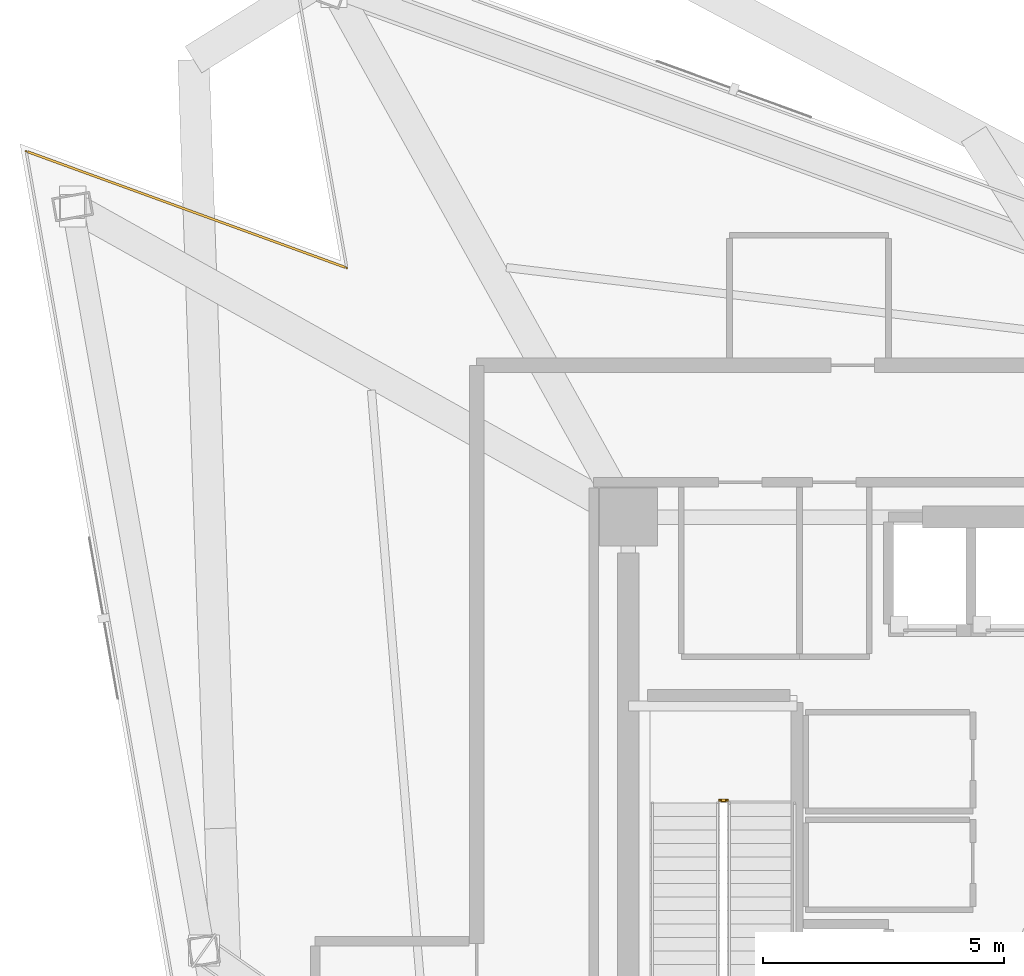
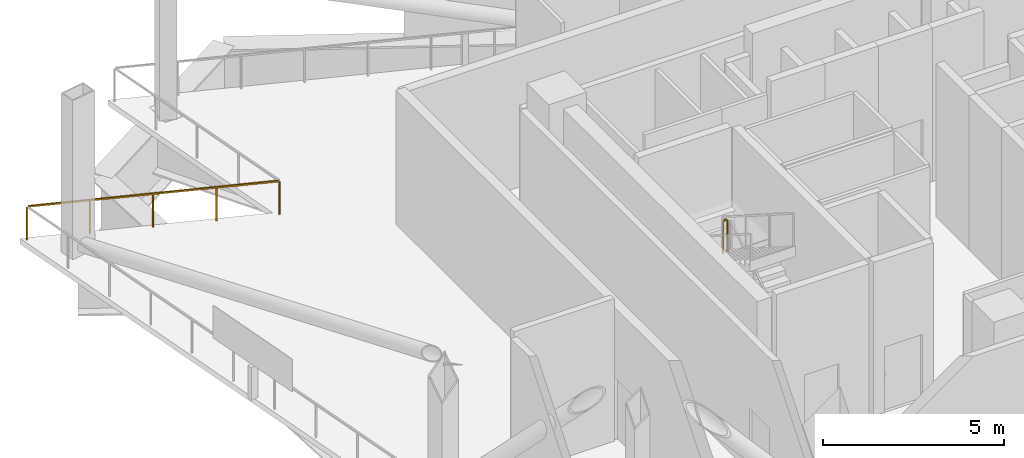
# One storey, part 13 of 15: 2 railings.
"""IFC4 building model written with IfcOpenShell, lengths in metres."""

from ifc_helpers import new_model, si_unit, direction, frame, origin, origin_2d, place, context, subcontext, project, spatial, rectangle, extrude, material, type_object, element, save


model = new_model("IFC4")

# Units and contexts
model_context = context("Model", 3, precision=1e-05, world=origin(), true_north=direction((0.0, 1.0)))
body_context = subcontext(model_context, "Body", "Model", "MODEL_VIEW")
ifc_project = project(units=[si_unit("LENGTHUNIT", "METRE"), si_unit("AREAUNIT", "SQUARE_METRE"), si_unit("VOLUMEUNIT", "CUBIC_METRE"), si_unit("PLANEANGLEUNIT", "RADIAN"), si_unit("MASSUNIT", "GRAM", prefix="KILO")], contexts=[model_context])

# Site, building, storey
site_placement = place(None, origin())
site = spatial("IfcSite", under=ifc_project, at=site_placement, CompositionType="ELEMENT")
building_placement = place(site_placement, origin())
building = spatial("IfcBuilding", under=site, at=building_placement, Name="Tharavind Bronze Gate", CompositionType="ELEMENT")
storey_placement = place(building_placement, frame((0.0, 0.0, 165.14990234375)))
storey = spatial("IfcBuildingStorey", under=building, at=storey_placement, Name="L42", CompositionType="ELEMENT", Elevation=165.14990234375)

# Railings
ifc_material_1 = material(Name="Brushed Bronze Alloy", Category="metal")
railing_type_1 = type_object("IfcRailingType", Name="STAIR WELL GUARD RAILING 1120", PredefinedType="GUARDRAIL", material=ifc_material_1)
railing_1_placement = place(storey_placement, frame((-6.85009765625, 1.719970703125, 2.675048828125)))
element("IfcRailing", 1, at=railing_1_placement, inside=storey, type_object=railing_type_1, Name="L42 ST1 stair guard 2", PredefinedType="GUARDRAIL", context=body_context, shape_type="SweptSolid", body=[
    extrude(rectangle(XDim=0.048095703125, YDim=0.048095703125, at=origin_2d()), frame((-0.031982421875, 0.0, 1.09619140625), z_axis=(-1.0, 0.0, 0.0), x_axis=(0.0, -1.0, 0.0)), (0.0, 0.0, 1.0), 0.0859375),
    extrude(rectangle(XDim=0.0400390625, YDim=0.0400390625, at=origin_2d()), origin(), (0.0, 0.0, 1.0), 1.068115234375),
    extrude(rectangle(XDim=0.0400390625, YDim=0.0400390625, at=origin_2d()), frame((-0.14990234375, 0.0, 0.0)), (0.0, 0.0, 1.0), 1.068115234375),
])
ifc_material_2 = material(Name="Bronze Cap & Laminated Glass", Category="glass")
railing_type_2 = type_object("IfcRailingType", Name="TERRACE GLASS GUARD RAILING 1150", PredefinedType="GUARDRAIL", material=ifc_material_2)
railing_2_placement = place(storey_placement, frame((-14.74365234375, 12.770751953125, 0.0)))
element("IfcRailing", 2, at=railing_2_placement, inside=storey, type_object=railing_type_2, Name="L42 open wind floor guard railing 2", PredefinedType="GUARDRAIL", context=body_context, shape_type="SweptSolid", body=[
    extrude(rectangle(XDim=0.048095703125, YDim=0.048095703125, at=origin_2d()), frame((-0.030029296875, 0.010986328125, 1.1259765625), z_axis=(-0.939687665182, 0.342033758429, 0.0), x_axis=(-0.342033758429, -0.939687665182, 0.0)), (0.0, 0.0, 1.0), 7.01611328125),
    extrude(rectangle(XDim=0.0400390625, YDim=0.0400390625, at=origin_2d()), origin(), (0.0, 0.0, 1.0), 1.097900390625),
    extrude(rectangle(XDim=0.0400390625, YDim=0.0400390625, at=origin_2d()), frame((-1.663330078125, 0.60546875, 0.0)), (0.0, 0.0, 1.0), 1.097900390625),
    extrude(rectangle(XDim=0.0400390625, YDim=0.0400390625, at=origin_2d()), frame((-3.32666015625, 1.2109375, 0.0)), (0.0, 0.0, 1.0), 1.097900390625),
    extrude(rectangle(XDim=0.0400390625, YDim=0.0400390625, at=origin_2d()), frame((-4.98974609375, 1.816162109375, 0.0)), (0.0, 0.0, 1.0), 1.097900390625),
    extrude(rectangle(XDim=0.0400390625, YDim=0.0400390625, at=origin_2d()), frame((-6.653076171875, 2.421630859375, 0.0)), (0.0, 0.0, 1.0), 1.097900390625),
])

save(model, "model.ifc")
